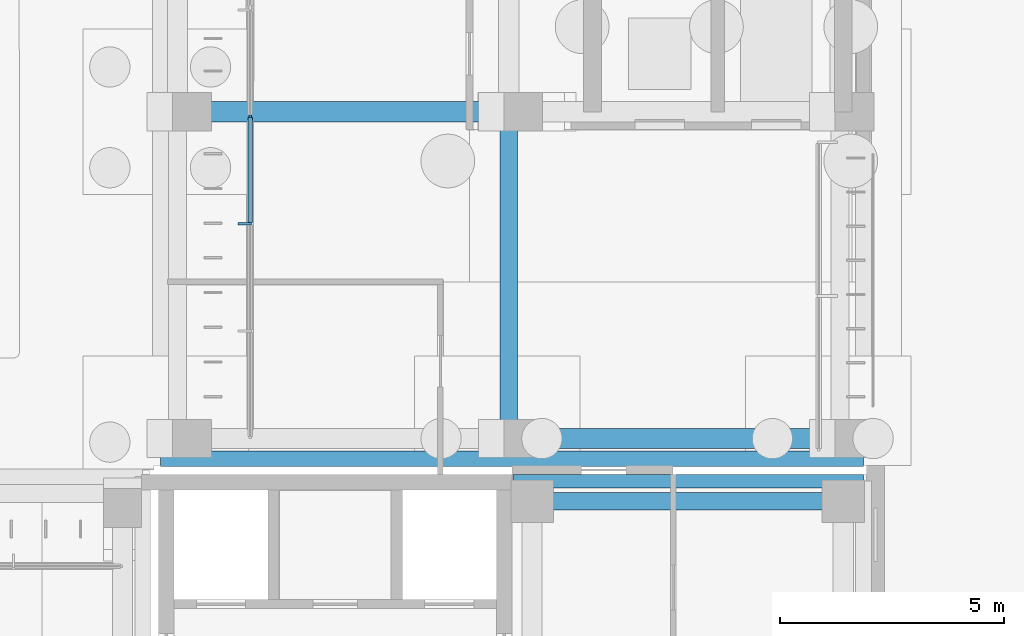
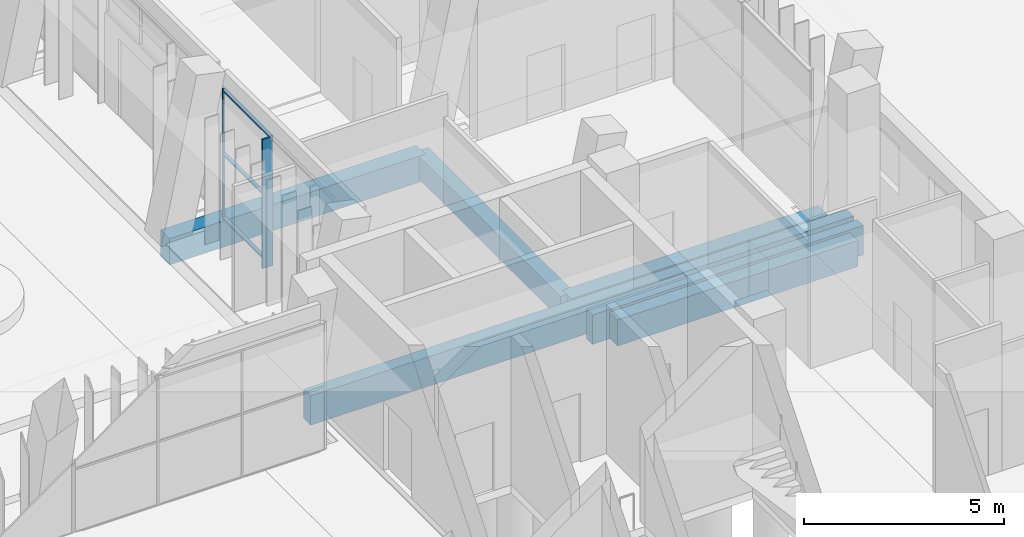
# One storey, part 71 of 144: 6 beams, 5 members, 1 element without a shape of its own.
"""IFC4 building model written with IfcOpenShell, lengths in metres."""

from ifc_helpers import new_model, si_unit, direction, frame, origin, origin_2d, place, context, subcontext, project, spatial, rectangle, extrude, material, material_profile, profile_set, type_object, element, aggregate, save


model = new_model("IFC4")

# Units and contexts
model_context = context("Model", 3, precision=1e-05, world=origin(), true_north=direction((0.0, 1.0)))
body_context = subcontext(model_context, "Body", "Model", "MODEL_VIEW")
ifc_project = project(units=[si_unit("LENGTHUNIT", "METRE"), si_unit("AREAUNIT", "SQUARE_METRE"), si_unit("VOLUMEUNIT", "CUBIC_METRE"), si_unit("PLANEANGLEUNIT", "RADIAN"), si_unit("MASSUNIT", "GRAM", prefix="KILO")], contexts=[model_context])

# Site, building, storey
site_placement = place(None, origin())
site = spatial("IfcSite", under=ifc_project, at=site_placement, CompositionType="ELEMENT")
building_placement = place(site_placement, origin())
building = spatial("IfcBuilding", under=site, at=building_placement, Name="Lantern Court Media Centre", CompositionType="ELEMENT")
storey_placement = place(building_placement, origin())
storey = spatial("IfcBuildingStorey", under=building, at=storey_placement, Name="L00", CompositionType="ELEMENT", Elevation=0.0)

# Curtain wall, members
ifc_material_1 = material(Name="Curtain wall bay 2400")
curtain_wall_type = type_object("IfcCurtainWallType", Name="Curtain wall bay 2400", PredefinedType="NOTDEFINED", material=ifc_material_1)
curtain_wall_placement = place(storey_placement, origin())
curtain_wall = element("IfcCurtainWall", 1, at=curtain_wall_placement, inside=storey, type_object=curtain_wall_type, Name="Curtain wall E inner L00", PredefinedType="NOTDEFINED")
ifc_material_2 = material(Name="Anodised aluminium", Category="aluminium")
ifc_material_profile_1 = material_profile(ifc_material_2, rectangle(XDim=0.300048828125, YDim=0.050048828125, at=origin_2d()), Name="AL 50x300")
ifc_profile_set_1 = profile_set([ifc_material_profile_1], Name="Anodised aluminium")
member_type_1 = type_object("IfcMemberType", Name="Curtain wall mullion 50x300", PredefinedType="MULLION", material=ifc_profile_set_1)
member_1_placement = place(storey_placement, frame((82.030029296875, 69.5, 0.0), z_axis=(0.0, 0.0, 1.0), x_axis=(-1.0, 0.0, 0.0)))
member_1 = element("IfcMember", 2, at=member_1_placement, type_object=member_type_1, Name="CW2 mullion 3", PredefinedType="MULLION", context=body_context, shape_type="SweptSolid", body=[
    extrude(rectangle(XDim=0.300048828125, YDim=0.050048828125, at=origin_2d()), origin(), (0.0, 0.0, 1.0), 3.949951171875),
])
ifc_material_profile_2 = material_profile(ifc_material_2, rectangle(XDim=0.06005859375, YDim=0.050048828125, at=origin_2d()), Name="AL 50x60")
ifc_profile_set_2 = profile_set([ifc_material_profile_2], Name="Anodised aluminium")
member_type_2 = type_object("IfcMemberType", Name="Curtain wall mullion 50x60", PredefinedType="MULLION", material=ifc_profile_set_2)
member_2_placement = place(storey_placement, frame((82.14990234375, 71.89990234375, 0.0), z_axis=(0.0, 0.0, 1.0), x_axis=(-1.0, 0.0, 0.0)))
member_2 = element("IfcMember", 3, at=member_2_placement, type_object=member_type_2, Name="CW2 mullion 4", PredefinedType="MULLION", context=body_context, shape_type="SweptSolid", body=[
    extrude(rectangle(XDim=0.06005859375, YDim=0.050048828125, at=origin_2d()), origin(), (0.0, 0.0, 1.0), 3.949951171875),
])
ifc_material_profile_3 = material_profile(ifc_material_2, rectangle(XDim=0.10009765625, YDim=0.050048828125, at=origin_2d()), Name="AL 50x100")
ifc_profile_set_3 = profile_set([ifc_material_profile_3], Name="Anodised aluminium")
member_type_3 = type_object("IfcMemberType", Name="Curtain wall transom 100x50", PredefinedType="USERDEFINED", material=ifc_profile_set_3)
member_3_placement = place(storey_placement, frame((82.14990234375, 69.52490234375, 0.02490234375), z_axis=(0.0, 1.0, 0.0), x_axis=(-1.0, 0.0, 0.0)))
member_3 = element("IfcMember", 4, at=member_3_placement, type_object=member_type_3, Name="CW2 transom 3.1", ObjectType="TRANSOM", PredefinedType="USERDEFINED", context=body_context, shape_type="SweptSolid", body=[
    extrude(rectangle(XDim=0.10009765625, YDim=0.050048828125, at=origin_2d()), origin(), (0.0, 0.0, 1.0), 2.35009765625),
])
member_4_placement = place(storey_placement, frame((82.14990234375, 69.52490234375, 1.97509765625), z_axis=(0.0, 1.0, 0.0), x_axis=(-1.0, 0.0, 0.0)))
member_4 = element("IfcMember", 5, at=member_4_placement, type_object=member_type_3, Name="CW2 transom 3.2", ObjectType="TRANSOM", PredefinedType="USERDEFINED", context=body_context, shape_type="SweptSolid", body=[
    extrude(rectangle(XDim=0.10009765625, YDim=0.050048828125, at=origin_2d()), origin(), (0.0, 0.0, 1.0), 2.35009765625),
])
member_5_placement = place(storey_placement, frame((82.14990234375, 69.52490234375, 3.925048828125), z_axis=(0.0, 1.0, 0.0), x_axis=(-1.0, 0.0, 0.0)))
member_5 = element("IfcMember", 6, at=member_5_placement, type_object=member_type_3, Name="CW2 transom 3.3", ObjectType="TRANSOM", PredefinedType="USERDEFINED", context=body_context, shape_type="SweptSolid", body=[
    extrude(rectangle(XDim=0.10009765625, YDim=0.050048828125, at=origin_2d()), origin(), (0.0, 0.0, 1.0), 2.35009765625),
])
aggregate(curtain_wall, [member_1, member_2, member_3, member_4, member_5])

# Beams
ifc_material_3 = material(Name="Concrete C35", Category="concrete")
ifc_material_profile_4 = material_profile(ifc_material_3, rectangle(XDim=0.300048828125, YDim=0.89990234375, at=origin_2d()), Name="RC 300x900")
ifc_profile_set_4 = profile_set([ifc_material_profile_4], Name="Concrete C35")
beam_type_1 = type_object("IfcBeamType", Name="RC BEAM 300x900", PredefinedType="BEAM", material=ifc_profile_set_4)
beam_1_placement = place(storey_placement, frame((88.02001953125, 63.75, -0.449951171875), z_axis=(1.0, 0.0, 0.0), x_axis=(0.0, 1.0, 0.0)))
element("IfcBeam", 7, at=beam_1_placement, inside=storey, type_object=beam_type_1, Name="EB-SE-L00-N", PredefinedType="BEAM", context=body_context, shape_type="SweptSolid", body=[
    extrude(rectangle(XDim=0.300048828125, YDim=0.89990234375, at=origin_2d()), origin(), (0.0, 0.0, 1.0), 7.830078125),
])
ifc_material_profile_5 = material_profile(ifc_material_3, rectangle(XDim=0.35009765625, YDim=0.89990234375, at=origin_2d()), Name="RC 350x900")
ifc_profile_set_5 = profile_set([ifc_material_profile_5], Name="Concrete C35")
beam_type_2 = type_object("IfcBeamType", Name="RC BEAM 350x900", PredefinedType="BEAM", material=ifc_profile_set_5)
beam_2_placement = place(storey_placement, frame((80.14990234375, 64.25, -0.449951171875), z_axis=(1.0, 0.0, 0.0), x_axis=(0.0, 1.0, 0.0)))
element("IfcBeam", 8, at=beam_2_placement, inside=storey, type_object=beam_type_2, Name="EB-E-L00-C", PredefinedType="BEAM", context=body_context, shape_type="SweptSolid", body=[
    extrude(rectangle(XDim=0.35009765625, YDim=0.89990234375, at=origin_2d()), origin(), (0.0, 0.0, 1.0), 15.7001953125),
])
ifc_material_profile_6 = material_profile(ifc_material_3, rectangle(XDim=0.39990234375, YDim=0.699951171875, at=origin_2d()), Name="RC 400x700")
ifc_profile_set_6 = profile_set([ifc_material_profile_6], Name="Concrete C35")
beam_type_3 = type_object("IfcBeamType", Name="RC BEAM 400x700", PredefinedType="BEAM", material=ifc_profile_set_6)
beam_3_placement = place(storey_placement, frame((87.927001953125, 64.699951171875, -0.35009765625), z_axis=(0.0, 1.0, 0.0), x_axis=(-1.0, 0.0, 0.0)))
element("IfcBeam", 9, at=beam_3_placement, inside=storey, type_object=beam_type_3, Name="LB-E-L00-1-0", PredefinedType="BEAM", context=body_context, shape_type="SweptSolid", body=[
    extrude(rectangle(XDim=0.39990234375, YDim=0.699951171875, at=origin_2d()), origin(), (0.0, 0.0, 1.0), 7.300048828125),
])
ifc_material_profile_7 = material_profile(ifc_material_3, rectangle(XDim=0.39990234375, YDim=0.800048828125, at=origin_2d()), Name="RC 400x800")
ifc_profile_set_7 = profile_set([ifc_material_profile_7], Name="Concrete C35")
beam_type_4 = type_object("IfcBeamType", Name="RC BEAM 400x800", PredefinedType="BEAM", material=ifc_profile_set_7)
beam_4_placement = place(storey_placement, frame((88.449951171875, 63.300048828125, -0.39990234375), z_axis=(1.0, 0.0, 0.0), x_axis=(0.0, 1.0, 0.0)))
element("IfcBeam", 10, at=beam_4_placement, inside=storey, type_object=beam_type_4, Name="BB-SE-L00-Y0-63", PredefinedType="BEAM", context=body_context, shape_type="SweptSolid", body=[
    extrude(rectangle(XDim=0.39990234375, YDim=0.800048828125, at=origin_2d()), origin(), (0.0, 0.0, 1.0), 6.949951171875),
])
ifc_material_profile_8 = material_profile(ifc_material_3, rectangle(XDim=0.449951171875, YDim=0.800048828125, at=origin_2d()), Name="RC 450x800")
ifc_profile_set_8 = profile_set([ifc_material_profile_8], Name="Concrete C35")
beam_type_5 = type_object("IfcBeamType", Name="RC BEAM 450x800", PredefinedType="BEAM", material=ifc_profile_set_8)
beam_5_placement = place(storey_placement, frame((87.916748046875, 64.699951171875, -0.39990234375), z_axis=(1.0, 0.0, 0.0), x_axis=(0.0, 1.0, 0.0)))
element("IfcBeam", 11, at=beam_5_placement, inside=storey, type_object=beam_type_5, Name="TB-E-L00-0-2", PredefinedType="BEAM", context=body_context, shape_type="SweptSolid", body=[
    extrude(rectangle(XDim=0.449951171875, YDim=0.800048828125, at=origin_2d()), origin(), (0.0, 0.0, 1.0), 7.39990234375),
])
beam_6_placement = place(storey_placement, frame((80.5166015625, 72.0, -0.39990234375), z_axis=(1.0, 0.0, 0.0), x_axis=(0.0, 1.0, 0.0)))
element("IfcBeam", 12, at=beam_6_placement, inside=storey, type_object=beam_type_5, Name="TB-E-L00-1-1", PredefinedType="BEAM", context=body_context, shape_type="SweptSolid", body=[
    extrude(rectangle(XDim=0.449951171875, YDim=0.800048828125, at=origin_2d()), origin(), (0.0, 0.0, 1.0), 7.400146484375),
])

save(model, "model.ifc")
